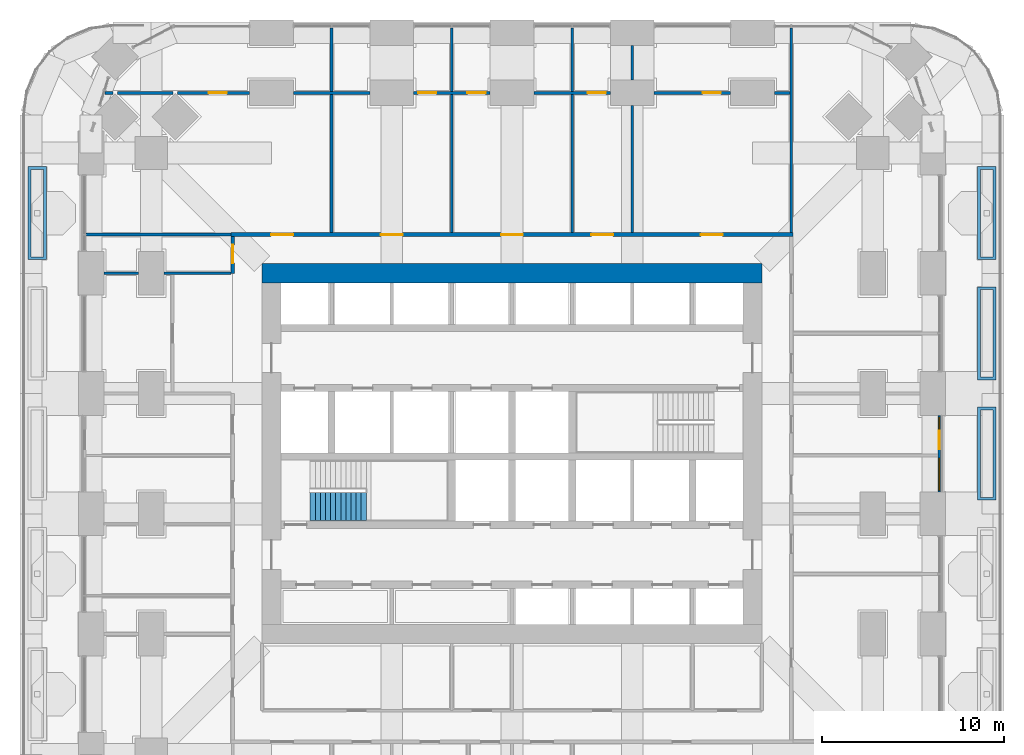
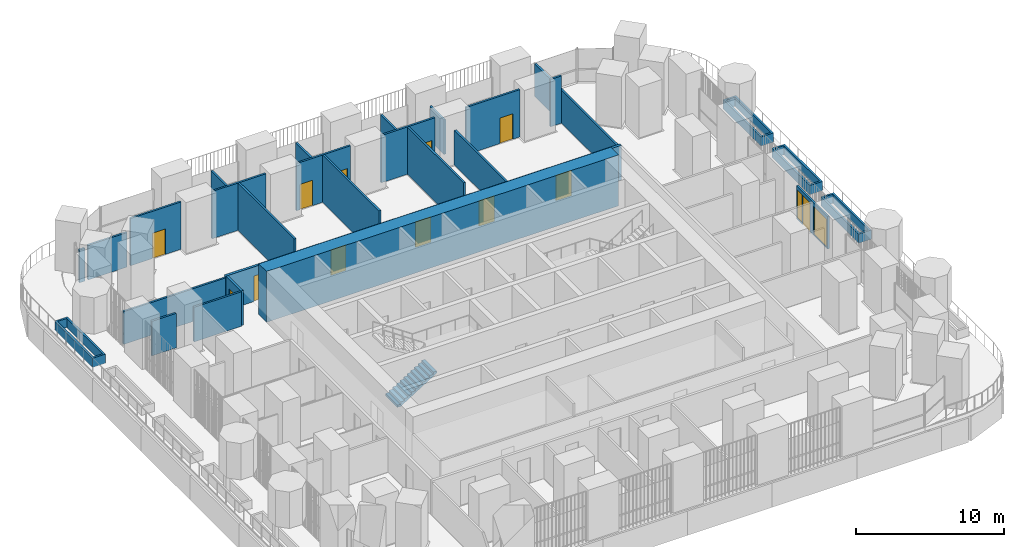
# One storey, part 20 of 27: 28 walls, 12 doors, 2 windows, 1 stair flight, 14 openings, 1 element without a shape of its own.
"""IFC4 building model written with IfcOpenShell, lengths in metres."""

import ifcopenshell
import ifcopenshell.guid

model = None  # the IFC model being written
_history = None  # IfcOwnerHistory: only IFC2X3 demands one
_inside = {}  # id of a spatial element -> (the spatial element, [elements in it])
_under = {}  # id of a project, library or spatial element -> (it, [spatial elements below it])
_declared = {}  # id of a project -> (the project, [libraries it declares])
_typed = {}  # id of a type object -> (the type object, [elements of that type])
_made_of = {}  # id of a material, layer set ... -> (it, [elements and type objects made of it])


def new_model(schema):
    """Start an empty IFC model of exactly this schema.

    Asked for "IFC4X3", IfcOpenShell would pick the latest addendum, in which some entities
    have other attributes; the version numbers below select the first issue.
    IFC2X3 requires an IfcOwnerHistory on every rooted entity: one is made here for all.
    """
    global model, _history
    if schema == "IFC4X3":
        model = ifcopenshell.file(schema_version=(4, 3, 0, 0))
    else:
        model = ifcopenshell.file(schema=schema)
    _inside.clear()
    _under.clear()
    _declared.clear()
    _typed.clear()
    _made_of.clear()
    _history = None
    if model.schema == "IFC2X3":
        org = make("IfcOrganization", Name="unknown")
        user = make(
            "IfcPersonAndOrganization",
            ThePerson=make("IfcPerson", FamilyName="unknown"),
            TheOrganization=org,
        )
        app = make(
            "IfcApplication",
            ApplicationDeveloper=org,
            Version="unknown",
            ApplicationFullName="unknown",
            ApplicationIdentifier="unknown",
        )
        _history = make(
            "IfcOwnerHistory",
            OwningUser=user,
            OwningApplication=app,
            ChangeAction="ADDED",
            CreationDate=0,
        )
    return model


def make(cls, **values):
    """One entity of the class cls with the attributes given. An attribute that is None is left unset."""
    return model.create_entity(
        cls, **{name: value for name, value in values.items() if value is not None}
    )


def rooted(cls, **values):
    """An entity with a GlobalId (a new one), such as an element, a storey or a relation."""
    return make(cls, GlobalId=ifcopenshell.guid.new(), OwnerHistory=_history, **values)


def si_unit(unit_type, name, prefix=None):
    """IfcSIUnit, for example si_unit("LENGTHUNIT", "METRE", prefix="MILLI")."""
    return make("IfcSIUnit", UnitType=unit_type, Prefix=prefix, Name=name)


def assignment(units):
    """IfcUnitAssignment: the units of a project."""
    return None if units is None else make("IfcUnitAssignment", Units=units)


def point(xyz):
    """IfcCartesianPoint."""
    return None if xyz is None else make("IfcCartesianPoint", Coordinates=xyz)


def direction(xyz):
    """IfcDirection."""
    return None if xyz is None else make("IfcDirection", DirectionRatios=xyz)


def frame(location, z_axis=None, x_axis=None):
    """IfcAxis2Placement3D, a coordinate frame: its origin and axes. An axis left out is left unset."""
    return make(
        "IfcAxis2Placement3D",
        Location=point(location),
        Axis=direction(z_axis),
        RefDirection=direction(x_axis),
    )


def frame_2d(location, x_axis=None):
    """IfcAxis2Placement2D, a coordinate frame in the plane: its origin and x axis."""
    return make(
        "IfcAxis2Placement2D", Location=point(location), RefDirection=direction(x_axis)
    )


def origin():
    """The frame at (0, 0, 0) with its axes left unset."""
    return frame((0.0, 0.0, 0.0))


def place(relative_to, where):
    """IfcLocalPlacement: puts the frame where relative to a parent placement (None: the world)."""
    return make(
        "IfcLocalPlacement", PlacementRelTo=relative_to, RelativePlacement=where
    )


def context(
    kind, dimensions, precision=None, world=None, true_north=None, identifier=None
):
    """IfcGeometricRepresentationContext, for example the 3D "Model" context."""
    return make(
        "IfcGeometricRepresentationContext",
        ContextIdentifier=identifier,
        ContextType=kind,
        CoordinateSpaceDimension=dimensions,
        Precision=precision,
        WorldCoordinateSystem=world,
        TrueNorth=true_north,
    )


def subcontext(parent, identifier, kind, view, scale=None):
    """IfcGeometricRepresentationSubContext, for example "Body" below "Model"."""
    return make(
        "IfcGeometricRepresentationSubContext",
        ContextIdentifier=identifier,
        ContextType=kind,
        ParentContext=parent,
        TargetScale=scale,
        TargetView=view,
    )


def project(units=None, contexts=None):
    """IfcProject with its units and contexts."""
    return rooted(
        "IfcProject",
        Name="project",
        RepresentationContexts=contexts,
        UnitsInContext=assignment(units),
    )


def spatial(cls, under=None, at=None, **own):
    """A site, building, storey or space (cls), placed at a placement, below another one or the project."""
    s = rooted(cls, ObjectPlacement=at, **own)
    if under is not None:
        _under.setdefault(under.id(), (under, []))[1].append(s)
    return s


def polyline(points):
    """IfcPolyline through the points."""
    return make("IfcPolyline", Points=[point(p) for p in points])


def profile(cls, at=None, kind="AREA", **sizes):
    """A parametric profile (cls). Its sizes go by their IFC names, for example OverallWidth=200.0."""
    return make(cls, ProfileType=kind, Position=at, **sizes)


def rectangle(**sizes):
    """IfcRectangleProfileDef."""
    return profile("IfcRectangleProfileDef", **sizes)


def outline(outer, holes=None, kind="AREA"):
    """IfcArbitraryClosedProfileDef: a profile drawn as a closed curve; with holes, ...WithVoids."""
    if holes is None:
        return make("IfcArbitraryClosedProfileDef", ProfileType=kind, OuterCurve=outer)
    return make(
        "IfcArbitraryProfileDefWithVoids",
        ProfileType=kind,
        OuterCurve=outer,
        InnerCurves=holes,
    )


def extrude(swept, where, along, depth):
    """IfcExtrudedAreaSolid: the profile swept, set in the frame where, extruded along a direction by depth."""
    return make(
        "IfcExtrudedAreaSolid",
        SweptArea=swept,
        Position=where,
        ExtrudedDirection=direction(along),
        Depth=depth,
    )


def shape(context_of_items, identifier, shape_type, items):
    """IfcShapeRepresentation: the items that make up one representation, for example the "Body"."""
    return make(
        "IfcShapeRepresentation",
        ContextOfItems=context_of_items,
        RepresentationIdentifier=identifier,
        RepresentationType=shape_type,
        Items=items,
    )


def material(Name=None, Category=None):
    """IfcMaterial."""
    return make("IfcMaterial", Name=Name, Category=Category)


def layer(
    of_material, thickness, ventilated=None, Name=None, Category=None, Priority=None
):
    """IfcMaterialLayer: one layer of a wall or slab, of a material (None: an air gap)."""
    return make(
        "IfcMaterialLayer",
        Material=of_material,
        LayerThickness=thickness,
        IsVentilated=ventilated,
        Name=Name,
        Category=Category,
        Priority=Priority,
    )


def layer_set(layers, Name=None):
    """IfcMaterialLayerSet."""
    return make("IfcMaterialLayerSet", MaterialLayers=layers, LayerSetName=Name)


def made_of(thing, what):
    """Note that an element or type object is made of a material, layer set ...; save() writes the relation."""
    if what is not None:
        _made_of.setdefault(what.id(), (what, []))[1].append(thing)
    return thing


def type_object(cls, material=None, **own):
    """A type object (cls), such as IfcWallType, which elements share."""
    return made_of(rooted(cls, **own), material)


def element(
    cls,
    number,
    at=None,
    inside=None,
    cuts=None,
    type_object=None,
    material=None,
    context=None,
    identifier="Body",
    shape_type=None,
    held_by="IfcProductDefinitionShape",
    body=None,
    shapes=None,
    **own,
):
    """One element of the class cls, such as IfcWall. Its Tag is "e" and its number.

    at: its placement. inside: the storey or other place that contains it. cuts: it is an
    opening in that element (IfcRelVoidsElement). A single representation is given by context,
    identifier, shape_type and body (its items); several are given by shapes. held_by: the class
    of the entity that holds the representations. save() writes the other relations.
    """
    e = rooted(cls, Tag="e%d" % number, ObjectPlacement=at, **own)
    if body is not None:
        shapes = [shape(context, identifier, shape_type, body)]
    if shapes is not None:
        e.Representation = make(held_by, Representations=shapes)
    if inside is not None:
        _inside.setdefault(inside.id(), (inside, []))[1].append(e)
    if cuts is not None:
        rooted(
            "IfcRelVoidsElement", RelatingBuildingElement=cuts, RelatedOpeningElement=e
        )
    if type_object is not None:
        _typed.setdefault(type_object.id(), (type_object, []))[1].append(e)
    return made_of(e, material)


def fill(opening, filler):
    """IfcRelFillsElement: the door or window that sits in an opening."""
    return rooted(
        "IfcRelFillsElement",
        RelatingOpeningElement=opening,
        RelatedBuildingElement=filler,
    )


def aggregate(whole, parts):
    """IfcRelAggregates: a whole, such as a stair, and the parts it consists of."""
    return rooted("IfcRelAggregates", RelatingObject=whole, RelatedObjects=parts)


def save(model, path):
    """Write the relations noted so far, then the file.

    IfcRelAggregates (storeys below a building ...), IfcRelContainedInSpatialStructure (elements
    in a storey), IfcRelDefinesByType, IfcRelAssociatesMaterial and IfcRelDeclares: one each for
    every whole, place, type object, material and project.
    """
    for whole, parts in _under.values():
        aggregate(whole, parts)
    for where, things in _inside.values():
        rooted(
            "IfcRelContainedInSpatialStructure",
            RelatedElements=things,
            RelatingStructure=where,
        )
    for kind, things in _typed.values():
        rooted("IfcRelDefinesByType", RelatedObjects=things, RelatingType=kind)
    for what, things in _made_of.values():
        rooted("IfcRelAssociatesMaterial", RelatedObjects=things, RelatingMaterial=what)
    for by, libraries in _declared.values():
        rooted("IfcRelDeclares", RelatingContext=by, RelatedDefinitions=libraries)
    model.write(path)


model = new_model("IFC4")

# Units and contexts
model_context = context("Model", 3, precision=1e-05, world=origin(), true_north=direction((0.0, 1.0)))
body_context = subcontext(model_context, "Body", "Model", "MODEL_VIEW")
ifc_project = project(units=[si_unit("LENGTHUNIT", "METRE"), si_unit("AREAUNIT", "SQUARE_METRE"), si_unit("VOLUMEUNIT", "CUBIC_METRE"), si_unit("PLANEANGLEUNIT", "RADIAN"), si_unit("MASSUNIT", "GRAM", prefix="KILO")], contexts=[model_context])

# Site, building, storey
site_placement = place(None, origin())
site = spatial("IfcSite", under=ifc_project, at=site_placement, CompositionType="ELEMENT")
building_placement = place(site_placement, origin())
building = spatial("IfcBuilding", under=site, at=building_placement, Name="Cobogo Forest Laboratory Tower", CompositionType="ELEMENT")
storey_placement = place(building_placement, frame((0.0, 0.0, 82.199951171875)))
storey = spatial("IfcBuildingStorey", under=building, at=storey_placement, Name="L18", CompositionType="ELEMENT", Elevation=82.199951171875)

# Wall
ifc_material_1 = material(Name="Concrete HA-50 (C50/60)", Category="concrete")
ifc_layer_1 = layer(ifc_material_1, 1.050048828125)
ifc_layer_set_1 = layer_set([ifc_layer_1], Name="CW1050 core outer wall 1050")
wall_type_1 = type_object("IfcWallType", Name="CW1050 core outer wall 1050", PredefinedType="SHEAR", material=ifc_layer_set_1)
wall_1_placement = place(storey_placement, frame((40.125, 33.0, 0.0), z_axis=(0.0, 0.0, 1.0), x_axis=(-1.0, 0.0, 0.0)))
element("IfcWall", 1, at=wall_1_placement, inside=storey, type_object=wall_type_1, Name="Core wall CO-N L18", PredefinedType="SHEAR", context=body_context, shape_type="SweptSolid", body=[
    extrude(rectangle(XDim=27.449951171875, YDim=1.050048828125, at=frame_2d((13.72509765625, 0.0))), origin(), (0.0, 0.0, 1.0), 4.199951171875),
])

# Wall, openings, door, windows
ifc_material_2 = material(Name="Aluminium framed glazed screen", Category="aluminium")
ifc_layer_2 = layer(ifc_material_2, 0.14990234375)
ifc_layer_set_2 = layer_set([ifc_layer_2], Name="GS1 glazed door screen 150")
wall_type_2 = type_object("IfcWallType", Name="GS1 glazed door screen 150", PredefinedType="SOLIDWALL", material=ifc_layer_set_2)
wall_2_placement = place(storey_placement, frame((49.85009765625, 21.0, 0.0), z_axis=(0.0, 0.0, 1.0), x_axis=(0.0, 1.0, 0.0)))
wall_2 = element("IfcWall", 2, at=wall_2_placement, inside=storey, type_object=wall_type_2, Name="Door screen TER-E L18", PredefinedType="SOLIDWALL", context=body_context, shape_type="SweptSolid", body=[
    extrude(rectangle(XDim=4.199951171875, YDim=0.14990234375, at=frame_2d((2.10009765625, 0.0))), origin(), (0.0, 0.0, 1.0), 2.699951171875),
])
opening_1_placement = place(wall_2_placement, frame((2.35009765625, 0.0, 0.0)))
opening_1 = element("IfcOpeningElement", 3, at=opening_1_placement, cuts=wall_2, Name="Opening L18-D28", PredefinedType="OPENING", context=body_context, shape_type="SweptSolid", body=[
    extrude(rectangle(XDim=1.0, YDim=2.39990234375, at=frame_2d((0.5, 1.199951171875))), frame((0.0, 0.0849609375, 0.0), z_axis=(0.0, -1.0, 0.0), x_axis=(1.0, 0.0, 0.0)), (0.0, 0.0, 1.0), 0.169921875),
])
opening_2_placement = place(wall_2_placement, frame((0.10009765625, 0.0, 0.10009765625)))
opening_2 = element("IfcOpeningElement", 4, at=opening_2_placement, cuts=wall_2, Name="Opening L18-W02", PredefinedType="OPENING", context=body_context, shape_type="SweptSolid", body=[
    extrude(rectangle(XDim=1.75, YDim=2.300048828125, at=frame_2d((0.875, 1.14990234375))), frame((0.0, 0.0849609375, 0.0), z_axis=(0.0, -1.0, 0.0), x_axis=(1.0, 0.0, 0.0)), (0.0, 0.0, 1.0), 0.169921875),
])
opening_3_placement = place(wall_2_placement, frame((3.449951171875, 0.0, 0.10009765625)))
opening_3 = element("IfcOpeningElement", 5, at=opening_3_placement, cuts=wall_2, Name="Opening L18-W04", PredefinedType="OPENING", context=body_context, shape_type="SweptSolid", body=[
    extrude(rectangle(XDim=0.64990234375, YDim=2.300048828125, at=frame_2d((0.324951171875, 1.14990234375))), frame((0.0, 0.0849609375, 0.0), z_axis=(0.0, -1.0, 0.0), x_axis=(1.0, 0.0, 0.0)), (0.0, 0.0, 1.0), 0.169921875),
])
ifc_material_3 = material(Name="Aluminium glazed door", Category="aluminium")
door_type_1 = type_object("IfcDoorType", Name="DT1 terrace door 1000 glazed", OperationType="SINGLE_SWING_RIGHT", PredefinedType="DOOR", material=ifc_material_3)
door_1_placement = place(opening_1_placement, origin())
door_1 = element("IfcDoor", 6, at=door_1_placement, inside=storey, type_object=door_type_1, Name="Door L18-TER-E", OperationType="SINGLE_SWING_RIGHT", OverallHeight=2.39990234375, OverallWidth=1.0, PredefinedType="DOOR", context=body_context, shape_type="SweptSolid", body=[
    extrude(rectangle(XDim=1.0, YDim=2.39990234375, at=frame_2d((0.5, 1.199951171875))), frame((0.0, 0.02490234375, 0.0), z_axis=(0.0, -1.0, 0.0), x_axis=(1.0, 0.0, 0.0)), (0.0, 0.0, 1.0), 0.050048828125),
])
fill(opening_1, door_1)
ifc_material_4 = material(Name="Aluminium framed glazing", Category="aluminium")
window_type_1 = type_object("IfcWindowType", Name="WG11 fixed glazed light 1750x2300", PartitioningType="SINGLE_PANEL", PredefinedType="WINDOW", material=ifc_material_4)
window_1_placement = place(opening_2_placement, origin())
window_1 = element("IfcWindow", 7, at=window_1_placement, inside=storey, type_object=window_type_1, Name="Window L18-TER-E-1", OverallHeight=2.300048828125, OverallWidth=1.75, PartitioningType="SINGLE_PANEL", PredefinedType="WINDOW", context=body_context, shape_type="SweptSolid", body=[
    extrude(rectangle(XDim=1.75, YDim=2.300048828125, at=frame_2d((0.875, 1.14990234375))), frame((0.0, 0.030029296875, 0.0), z_axis=(0.0, -1.0, 0.0), x_axis=(1.0, 0.0, 0.0)), (0.0, 0.0, 1.0), 0.06005859375),
])
fill(opening_2, window_1)
window_type_2 = type_object("IfcWindowType", Name="WG12 fixed glazed light 650x2300", PartitioningType="SINGLE_PANEL", PredefinedType="WINDOW", material=ifc_material_4)
window_2_placement = place(opening_3_placement, origin())
window_2 = element("IfcWindow", 8, at=window_2_placement, inside=storey, type_object=window_type_2, Name="Window L18-TER-E-2", OverallHeight=2.300048828125, OverallWidth=0.64990234375, PartitioningType="SINGLE_PANEL", PredefinedType="WINDOW", context=body_context, shape_type="SweptSolid", body=[
    extrude(rectangle(XDim=0.64990234375, YDim=2.300048828125, at=frame_2d((0.324951171875, 1.14990234375))), frame((0.0, 0.030029296875, 0.0), z_axis=(0.0, -1.0, 0.0), x_axis=(1.0, 0.0, 0.0)), (0.0, 0.0, 1.0), 0.06005859375),
])
fill(opening_3, window_2)

# Walls
ifc_material_5 = material(Name="Gypsum board on steel studs", Category="steel")
ifc_layer_3 = layer(ifc_material_5, 0.14990234375)
ifc_layer_set_3 = layer_set([ifc_layer_3], Name="PT1 laboratory partition 150")
wall_type_3 = type_object("IfcWallType", Name="PT1 laboratory partition 150", PredefinedType="PARTITIONING", material=ifc_layer_set_3)
wall_3_placement = place(storey_placement, frame((41.72509765625, 46.469970703125, 0.0), z_axis=(0.0, 0.0, 1.0), x_axis=(0.0, -1.0, 0.0)))
element("IfcWall", 9, at=wall_3_placement, inside=storey, type_object=wall_type_3, Name="Partition PW-NE L18", PredefinedType="PARTITIONING", context=body_context, shape_type="SweptSolid", body=[
    extrude(rectangle(XDim=11.244873046875, YDim=0.14990234375, at=frame_2d((5.62255859375, 0.0))), origin(), (0.0, 0.0, 1.0), 2.699951171875),
])
wall_4_placement = place(storey_placement, frame((3.030029296875, 35.125, 0.0), z_axis=(0.0, 0.0, 1.0), x_axis=(1.0, 0.0, 0.0)))
element("IfcWall", 10, at=wall_4_placement, inside=storey, type_object=wall_type_3, Name="Partition PW-NW L18", PredefinedType="PARTITIONING", context=body_context, shape_type="SweptSolid", body=[
    extrude(rectangle(XDim=7.945068359375, YDim=0.14990234375, at=frame_2d((3.97265625, 0.0))), origin(), (0.0, 0.0, 1.0), 2.699951171875),
])
wall_5_placement = place(storey_placement, frame((41.64990234375, 42.89990234375, 0.0), z_axis=(0.0, 0.0, 1.0), x_axis=(-1.0, 0.0, 0.0)))
element("IfcWall", 11, at=wall_5_placement, inside=storey, type_object=wall_type_3, Name="Partition STRIP-N-1 L18", PredefinedType="PARTITIONING", context=body_context, shape_type="SweptSolid", body=[
    extrude(rectangle(XDim=0.849853515625, YDim=0.14990234375, at=frame_2d((0.4248046875, 0.0))), origin(), (0.0, 0.0, 1.0), 3.900146484375),
])

# Wall, opening, door
wall_6_placement = place(storey_placement, frame((38.39990234375, 42.89990234375, 0.0), z_axis=(0.0, 0.0, 1.0), x_axis=(-1.0, 0.0, 0.0)))
wall_6 = element("IfcWall", 12, at=wall_6_placement, inside=storey, type_object=wall_type_3, Name="Partition STRIP-N-2 L18", PredefinedType="PARTITIONING", context=body_context, shape_type="SweptSolid", body=[
    extrude(rectangle(XDim=4.199951171875, YDim=0.14990234375, at=frame_2d((2.10009765625, 0.0))), origin(), (0.0, 0.0, 1.0), 3.900146484375),
])
opening_4_placement = place(wall_6_placement, frame((0.53759765625, 0.0, 0.0)))
opening_4 = element("IfcOpeningElement", 13, at=opening_4_placement, cuts=wall_6, Name="Opening L18-D47", PredefinedType="OPENING", context=body_context, shape_type="SweptSolid", body=[
    extrude(rectangle(XDim=1.0, YDim=2.10009765625, at=frame_2d((0.5, 1.050048828125))), frame((0.0, 0.0849609375, 0.0), z_axis=(0.0, -1.0, 0.0), x_axis=(1.0, 0.0, 0.0)), (0.0, 0.0, 1.0), 0.169921875),
])
ifc_material_6 = material(Name="Timber fire door", Category="wood")
door_type_2 = type_object("IfcDoorType", Name="FD2 fire door 1000 EI2 30", OperationType="SINGLE_SWING_LEFT", PredefinedType="DOOR", material=ifc_material_6)
door_2_placement = place(opening_4_placement, origin())
door_2 = element("IfcDoor", 14, at=door_2_placement, inside=storey, type_object=door_type_2, Name="Door L18-N5W", OperationType="SINGLE_SWING_LEFT", OverallHeight=2.10009765625, OverallWidth=1.0, PredefinedType="DOOR", context=body_context, shape_type="SweptSolid", body=[
    extrude(rectangle(XDim=1.0, YDim=2.10009765625, at=frame_2d((0.5, 1.050048828125))), frame((0.0, 0.02490234375, 0.0), z_axis=(0.0, -1.0, 0.0), x_axis=(1.0, 0.0, 0.0)), (0.0, 0.0, 1.0), 0.050048828125),
])
fill(opening_4, door_2)

wall_7_placement = place(storey_placement, frame((31.800048828125, 42.89990234375, 0.0), z_axis=(0.0, 0.0, 1.0), x_axis=(-1.0, 0.0, 0.0)))
wall_7 = element("IfcWall", 15, at=wall_7_placement, inside=storey, type_object=wall_type_3, Name="Partition STRIP-N-3 L18", PredefinedType="PARTITIONING", context=body_context, shape_type="SweptSolid", body=[
    extrude(rectangle(XDim=4.199951171875, YDim=0.14990234375, at=frame_2d((2.10009765625, 0.0))), origin(), (0.0, 0.0, 1.0), 3.900146484375),
])
opening_5_placement = place(wall_7_placement, frame((0.25, 0.0, 0.0)))
opening_5 = element("IfcOpeningElement", 16, at=opening_5_placement, cuts=wall_7, Name="Opening L18-D46", PredefinedType="OPENING", context=body_context, shape_type="SweptSolid", body=[
    extrude(rectangle(XDim=1.0, YDim=2.10009765625, at=frame_2d((0.5, 1.050048828125))), frame((0.0, 0.0849609375, 0.0), z_axis=(0.0, -1.0, 0.0), x_axis=(1.0, 0.0, 0.0)), (0.0, 0.0, 1.0), 0.169921875),
])
door_3_placement = place(opening_5_placement, origin())
door_3 = element("IfcDoor", 17, at=door_3_placement, inside=storey, type_object=door_type_2, Name="Door L18-N4W", OperationType="SINGLE_SWING_LEFT", OverallHeight=2.10009765625, OverallWidth=1.0, PredefinedType="DOOR", context=body_context, shape_type="SweptSolid", body=[
    extrude(rectangle(XDim=1.0, YDim=2.10009765625, at=frame_2d((0.5, 1.050048828125))), frame((0.0, 0.02490234375, 0.0), z_axis=(0.0, -1.0, 0.0), x_axis=(1.0, 0.0, 0.0)), (0.0, 0.0, 1.0), 0.050048828125),
])
fill(opening_5, door_3)

# Wall, openings, doors
wall_8_placement = place(storey_placement, frame((25.199951171875, 42.89990234375, 0.0), z_axis=(0.0, 0.0, 1.0), x_axis=(-1.0, 0.0, 0.0)))
wall_8 = element("IfcWall", 18, at=wall_8_placement, inside=storey, type_object=wall_type_3, Name="Partition STRIP-N-4 L18", PredefinedType="PARTITIONING", context=body_context, shape_type="SweptSolid", body=[
    extrude(rectangle(XDim=4.199951171875, YDim=0.14990234375, at=frame_2d((2.10009765625, 0.0))), origin(), (0.0, 0.0, 1.0), 3.900146484375),
])
opening_6_placement = place(wall_8_placement, frame((2.949951171875, 0.0, 0.0)))
opening_6 = element("IfcOpeningElement", 19, at=opening_6_placement, cuts=wall_8, Name="Opening L18-D44", PredefinedType="OPENING", context=body_context, shape_type="SweptSolid", body=[
    extrude(rectangle(XDim=1.0, YDim=2.10009765625, at=frame_2d((0.5, 1.050048828125))), frame((0.0, 0.0849609375, 0.0), z_axis=(0.0, -1.0, 0.0), x_axis=(1.0, 0.0, 0.0)), (0.0, 0.0, 1.0), 0.169921875),
])
opening_7_placement = place(wall_8_placement, frame((0.25, 0.0, 0.0)))
opening_7 = element("IfcOpeningElement", 20, at=opening_7_placement, cuts=wall_8, Name="Opening L18-D45", PredefinedType="OPENING", context=body_context, shape_type="SweptSolid", body=[
    extrude(rectangle(XDim=1.0, YDim=2.10009765625, at=frame_2d((0.5, 1.050048828125))), frame((0.0, 0.0849609375, 0.0), z_axis=(0.0, -1.0, 0.0), x_axis=(1.0, 0.0, 0.0)), (0.0, 0.0, 1.0), 0.169921875),
])
door_4_placement = place(opening_6_placement, origin())
door_4 = element("IfcDoor", 21, at=door_4_placement, inside=storey, type_object=door_type_2, Name="Door L18-N2W", OperationType="SINGLE_SWING_RIGHT", OverallHeight=2.10009765625, OverallWidth=1.0, PredefinedType="DOOR", context=body_context, shape_type="SweptSolid", body=[
    extrude(rectangle(XDim=1.0, YDim=2.10009765625, at=frame_2d((0.5, 1.050048828125))), frame((0.0, 0.02490234375, 0.0), z_axis=(0.0, -1.0, 0.0), x_axis=(1.0, 0.0, 0.0)), (0.0, 0.0, 1.0), 0.050048828125),
])
fill(opening_6, door_4)
door_5_placement = place(opening_7_placement, origin())
door_5 = element("IfcDoor", 22, at=door_5_placement, inside=storey, type_object=door_type_2, Name="Door L18-N3W", OperationType="SINGLE_SWING_LEFT", OverallHeight=2.10009765625, OverallWidth=1.0, PredefinedType="DOOR", context=body_context, shape_type="SweptSolid", body=[
    extrude(rectangle(XDim=1.0, YDim=2.10009765625, at=frame_2d((0.5, 1.050048828125))), frame((0.0, 0.02490234375, 0.0), z_axis=(0.0, -1.0, 0.0), x_axis=(1.0, 0.0, 0.0)), (0.0, 0.0, 1.0), 0.050048828125),
])
fill(opening_7, door_5)

# Wall
wall_9_placement = place(storey_placement, frame((18.60009765625, 42.89990234375, 0.0), z_axis=(0.0, 0.0, 1.0), x_axis=(-1.0, 0.0, 0.0)))
element("IfcWall", 23, at=wall_9_placement, inside=storey, type_object=wall_type_3, Name="Partition STRIP-N-5 L18", PredefinedType="PARTITIONING", context=body_context, shape_type="SweptSolid", body=[
    extrude(rectangle(XDim=4.2001953125, YDim=0.14990234375, at=frame_2d((2.10009765625, 0.0))), origin(), (0.0, 0.0, 1.0), 3.900146484375),
])

# Wall, opening, door
wall_10_placement = place(storey_placement, frame((12.0, 42.89990234375, 0.0), z_axis=(0.0, 0.0, 1.0), x_axis=(-1.0, 0.0, 0.0)))
wall_10 = element("IfcWall", 24, at=wall_10_placement, inside=storey, type_object=wall_type_3, Name="Partition STRIP-N-6 L18", PredefinedType="PARTITIONING", context=body_context, shape_type="SweptSolid", body=[
    extrude(rectangle(XDim=3.953857421875, YDim=0.14990234375, at=frame_2d((1.97705078125, 0.0))), origin(), (0.0, 0.0, 1.0), 3.900146484375),
])
opening_8_placement = place(wall_10_placement, frame((1.2421875, 0.0, 0.0)))
opening_8 = element("IfcOpeningElement", 25, at=opening_8_placement, cuts=wall_10, Name="Opening L18-D43", PredefinedType="OPENING", context=body_context, shape_type="SweptSolid", body=[
    extrude(rectangle(XDim=1.0, YDim=2.10009765625, at=frame_2d((0.5, 1.050048828125))), frame((0.0, 0.0849609375, 0.0), z_axis=(0.0, -1.0, 0.0), x_axis=(1.0, 0.0, 0.0)), (0.0, 0.0, 1.0), 0.169921875),
])
door_6_placement = place(opening_8_placement, origin())
door_6 = element("IfcDoor", 26, at=door_6_placement, inside=storey, type_object=door_type_2, Name="Door L18-N1W", OperationType="SINGLE_SWING_LEFT", OverallHeight=2.10009765625, OverallWidth=1.0, PredefinedType="DOOR", context=body_context, shape_type="SweptSolid", body=[
    extrude(rectangle(XDim=1.0, YDim=2.10009765625, at=frame_2d((0.5, 1.050048828125))), frame((0.0, 0.02490234375, 0.0), z_axis=(0.0, -1.0, 0.0), x_axis=(1.0, 0.0, 0.0)), (0.0, 0.0, 1.0), 0.050048828125),
])
fill(opening_8, door_6)

# Walls
wall_11_placement = place(storey_placement, frame((7.7900390625, 42.89990234375, 0.0), z_axis=(0.0, 0.0, 1.0), x_axis=(-1.0, 0.0, 0.0)))
element("IfcWall", 27, at=wall_11_placement, inside=storey, type_object=wall_type_3, Name="Partition STRIP-N-7 L18", PredefinedType="PARTITIONING", context=body_context, shape_type="SweptSolid", body=[
    extrude(rectangle(XDim=3.0439453125, YDim=0.14990234375, at=frame_2d((1.52197265625, 0.0))), origin(), (0.0, 0.0, 1.0), 2.85009765625),
])
wall_12_placement = place(storey_placement, frame((4.489990234375, 42.89990234375, 0.0), z_axis=(0.0, 0.0, 1.0), x_axis=(-1.0, 0.0, 0.0)))
element("IfcWall", 28, at=wall_12_placement, inside=storey, type_object=wall_type_3, Name="Partition STRIP-N-8 L18", PredefinedType="PARTITIONING", context=body_context, shape_type="SweptSolid", body=[
    extrude(rectangle(XDim=0.4140625, YDim=0.14990234375, at=frame_2d((0.20703125, 0.0))), origin(), (0.0, 0.0, 1.0), 2.699951171875),
])
wall_13_placement = place(storey_placement, frame((16.5, 46.469970703125, 0.0), z_axis=(0.0, 0.0, 1.0), x_axis=(0.0, -1.0, 0.0)))
element("IfcWall", 29, at=wall_13_placement, inside=storey, type_object=wall_type_3, Name="Partition CUT-N16.5a-1 L18", PredefinedType="PARTITIONING", context=body_context, shape_type="SweptSolid", body=[
    extrude(rectangle(XDim=3.494873046875, YDim=0.14990234375, at=frame_2d((1.74755859375, 0.0))), origin(), (0.0, 0.0, 1.0), 2.699951171875),
])
wall_14_placement = place(storey_placement, frame((16.5, 42.824951171875, 0.0), z_axis=(0.0, 0.0, 1.0), x_axis=(0.0, -1.0, 0.0)))
element("IfcWall", 30, at=wall_14_placement, inside=storey, type_object=wall_type_3, Name="Partition CUT-N16.5b-1 L18", PredefinedType="PARTITIONING", context=body_context, shape_type="SweptSolid", body=[
    extrude(rectangle(XDim=7.599853515625, YDim=0.14990234375, at=frame_2d((3.7998046875, 0.0))), origin(), (0.0, 0.0, 1.0), 3.900146484375),
])
wall_15_placement = place(storey_placement, frame((23.10009765625, 46.469970703125, 0.0), z_axis=(0.0, 0.0, 1.0), x_axis=(0.0, -1.0, 0.0)))
element("IfcWall", 31, at=wall_15_placement, inside=storey, type_object=wall_type_3, Name="Partition CUT-N23.1a-1 L18", PredefinedType="PARTITIONING", context=body_context, shape_type="SweptSolid", body=[
    extrude(rectangle(XDim=3.494873046875, YDim=0.14990234375, at=frame_2d((1.74755859375, 0.0))), origin(), (0.0, 0.0, 1.0), 2.699951171875),
])
wall_16_placement = place(storey_placement, frame((23.10009765625, 42.824951171875, 0.0), z_axis=(0.0, 0.0, 1.0), x_axis=(0.0, -1.0, 0.0)))
element("IfcWall", 32, at=wall_16_placement, inside=storey, type_object=wall_type_3, Name="Partition CUT-N23.1b-1 L18", PredefinedType="PARTITIONING", context=body_context, shape_type="SweptSolid", body=[
    extrude(rectangle(XDim=7.599853515625, YDim=0.14990234375, at=frame_2d((3.7998046875, 0.0))), origin(), (0.0, 0.0, 1.0), 3.900146484375),
])
wall_17_placement = place(storey_placement, frame((29.699951171875, 46.469970703125, 0.0), z_axis=(0.0, 0.0, 1.0), x_axis=(0.0, -1.0, 0.0)))
element("IfcWall", 33, at=wall_17_placement, inside=storey, type_object=wall_type_3, Name="Partition CUT-N29.7a-1 L18", PredefinedType="PARTITIONING", context=body_context, shape_type="SweptSolid", body=[
    extrude(rectangle(XDim=3.494873046875, YDim=0.14990234375, at=frame_2d((1.74755859375, 0.0))), origin(), (0.0, 0.0, 1.0), 2.699951171875),
])
wall_18_placement = place(storey_placement, frame((29.699951171875, 42.824951171875, 0.0), z_axis=(0.0, 0.0, 1.0), x_axis=(0.0, -1.0, 0.0)))
element("IfcWall", 34, at=wall_18_placement, inside=storey, type_object=wall_type_3, Name="Partition CUT-N29.7b-1 L18", PredefinedType="PARTITIONING", context=body_context, shape_type="SweptSolid", body=[
    extrude(rectangle(XDim=7.599853515625, YDim=0.14990234375, at=frame_2d((3.7998046875, 0.0))), origin(), (0.0, 0.0, 1.0), 3.900146484375),
])
wall_19_placement = place(storey_placement, frame((33.0, 45.5, 0.0), z_axis=(0.0, 0.0, 1.0), x_axis=(0.0, -1.0, 0.0)))
element("IfcWall", 35, at=wall_19_placement, inside=storey, type_object=wall_type_3, Name="Partition CUT-N33a-1 L18", PredefinedType="PARTITIONING", context=body_context, shape_type="SweptSolid", body=[
    extrude(rectangle(XDim=1.89990234375, YDim=0.14990234375, at=frame_2d((0.949951171875, 0.0))), origin(), (0.0, 0.0, 1.0), 2.85009765625),
])
wall_20_placement = place(storey_placement, frame((33.0, 42.199951171875, 0.0), z_axis=(0.0, 0.0, 1.0), x_axis=(0.0, -1.0, 0.0)))
element("IfcWall", 36, at=wall_20_placement, inside=storey, type_object=wall_type_3, Name="Partition CUT-N33b-1 L18", PredefinedType="PARTITIONING", context=body_context, shape_type="SweptSolid", body=[
    extrude(rectangle(XDim=6.974853515625, YDim=0.14990234375, at=frame_2d((3.4873046875, 0.0))), origin(), (0.0, 0.0, 1.0), 2.85009765625),
])
wall_21_placement = place(storey_placement, frame((4.0, 33.0, 0.0), z_axis=(0.0, 0.0, 1.0), x_axis=(1.0, 0.0, 0.0)))
element("IfcWall", 37, at=wall_21_placement, inside=storey, type_object=wall_type_3, Name="Partition CUT-W33-1 L18", PredefinedType="PARTITIONING", context=body_context, shape_type="SweptSolid", body=[
    extrude(rectangle(XDim=1.89990234375, YDim=0.14990234375, at=frame_2d((0.949951171875, 0.0))), origin(), (0.0, 0.0, 1.0), 2.85009765625),
])
wall_22_placement = place(storey_placement, frame((7.300048828125, 33.0, 0.0), z_axis=(0.0, 0.0, 1.0), x_axis=(1.0, 0.0, 0.0)))
element("IfcWall", 38, at=wall_22_placement, inside=storey, type_object=wall_type_3, Name="Partition CUT-W33-2 L18", PredefinedType="PARTITIONING", context=body_context, shape_type="SweptSolid", body=[
    extrude(rectangle(XDim=3.675048828125, YDim=0.14990234375, at=frame_2d((1.83740234375, 0.0))), origin(), (0.0, 0.0, 1.0), 2.85009765625),
])

# Wall, openings, doors
ifc_layer_4 = layer(ifc_material_5, 0.199951171875)
ifc_layer_set_4 = layer_set([ifc_layer_4], Name="PT2 fire-rated corridor partition 200")
wall_type_4 = type_object("IfcWallType", Name="PT2 fire-rated corridor partition 200", PredefinedType="PARTITIONING", material=ifc_layer_set_4)
wall_23_placement = place(storey_placement, frame((10.97509765625, 35.125, 0.0), z_axis=(0.0, 0.0, 1.0), x_axis=(1.0, 0.0, 0.0)))
wall_23 = element("IfcWall", 39, at=wall_23_placement, inside=storey, type_object=wall_type_4, Name="Partition CORR-N L18", PredefinedType="PARTITIONING", context=body_context, shape_type="SweptSolid", body=[
    extrude(rectangle(XDim=30.849853515625, YDim=0.199951171875, at=frame_2d((15.4248046875, 0.0))), origin(), (0.0, 0.0, 1.0), 2.85009765625),
])
opening_9_placement = place(wall_23_placement, frame((2.21240234375, 0.0, 0.0)))
opening_9 = element("IfcOpeningElement", 40, at=opening_9_placement, cuts=wall_23, Name="Opening L18-D38", PredefinedType="OPENING", context=body_context, shape_type="SweptSolid", body=[
    extrude(rectangle(XDim=1.199951171875, YDim=2.10009765625, at=frame_2d((0.60009765625, 1.050048828125))), frame((0.0, 0.10986328125, 0.0), z_axis=(0.0, -1.0, 0.0), x_axis=(1.0, 0.0, 0.0)), (0.0, 0.0, 1.0), 0.219970703125),
])
opening_10_placement = place(wall_23_placement, frame((8.22509765625, 0.0, 0.0)))
opening_10 = element("IfcOpeningElement", 41, at=opening_10_placement, cuts=wall_23, Name="Opening L18-D39", PredefinedType="OPENING", context=body_context, shape_type="SweptSolid", body=[
    extrude(rectangle(XDim=1.199951171875, YDim=2.10009765625, at=frame_2d((0.60009765625, 1.050048828125))), frame((0.0, 0.10986328125, 0.0), z_axis=(0.0, -1.0, 0.0), x_axis=(1.0, 0.0, 0.0)), (0.0, 0.0, 1.0), 0.219970703125),
])
opening_11_placement = place(wall_23_placement, frame((14.824951171875, 0.0, 0.0)))
opening_11 = element("IfcOpeningElement", 42, at=opening_11_placement, cuts=wall_23, Name="Opening L18-D40", PredefinedType="OPENING", context=body_context, shape_type="SweptSolid", body=[
    extrude(rectangle(XDim=1.199951171875, YDim=2.10009765625, at=frame_2d((0.60009765625, 1.050048828125))), frame((0.0, 0.10986328125, 0.0), z_axis=(0.0, -1.0, 0.0), x_axis=(1.0, 0.0, 0.0)), (0.0, 0.0, 1.0), 0.219970703125),
])
opening_12_placement = place(wall_23_placement, frame((19.77490234375, 0.0, 0.0)))
opening_12 = element("IfcOpeningElement", 43, at=opening_12_placement, cuts=wall_23, Name="Opening L18-D41", PredefinedType="OPENING", context=body_context, shape_type="SweptSolid", body=[
    extrude(rectangle(XDim=1.199951171875, YDim=2.10009765625, at=frame_2d((0.60009765625, 1.050048828125))), frame((0.0, 0.10986328125, 0.0), z_axis=(0.0, -1.0, 0.0), x_axis=(1.0, 0.0, 0.0)), (0.0, 0.0, 1.0), 0.219970703125),
])
opening_13_placement = place(wall_23_placement, frame((25.78759765625, 0.0, 0.0)))
opening_13 = element("IfcOpeningElement", 44, at=opening_13_placement, cuts=wall_23, Name="Opening L18-D42", PredefinedType="OPENING", context=body_context, shape_type="SweptSolid", body=[
    extrude(rectangle(XDim=1.199951171875, YDim=2.10009765625, at=frame_2d((0.60009765625, 1.050048828125))), frame((0.0, 0.10986328125, 0.0), z_axis=(0.0, -1.0, 0.0), x_axis=(1.0, 0.0, 0.0)), (0.0, 0.0, 1.0), 0.219970703125),
])
ifc_material_7 = material(Name="Timber door", Category="wood")
door_type_3 = type_object("IfcDoorType", Name="D2 laboratory door 1200 unequal pair", OperationType="DOUBLE_DOOR_SINGLE_SWING", PredefinedType="DOOR", material=ifc_material_7)
door_7_placement = place(opening_9_placement, origin())
door_7 = element("IfcDoor", 45, at=door_7_placement, inside=storey, type_object=door_type_3, Name="Door L18-N1", OperationType="DOUBLE_DOOR_SINGLE_SWING", OverallHeight=2.10009765625, OverallWidth=1.199951171875, PredefinedType="DOOR", context=body_context, shape_type="SweptSolid", body=[
    extrude(rectangle(XDim=1.199951171875, YDim=2.10009765625, at=frame_2d((0.60009765625, 1.050048828125))), frame((0.0, 0.02490234375, 0.0), z_axis=(0.0, -1.0, 0.0), x_axis=(1.0, 0.0, 0.0)), (0.0, 0.0, 1.0), 0.050048828125),
])
fill(opening_9, door_7)
door_8_placement = place(opening_10_placement, origin())
door_8 = element("IfcDoor", 46, at=door_8_placement, inside=storey, type_object=door_type_3, Name="Door L18-N2", OperationType="DOUBLE_DOOR_SINGLE_SWING", OverallHeight=2.10009765625, OverallWidth=1.199951171875, PredefinedType="DOOR", context=body_context, shape_type="SweptSolid", body=[
    extrude(rectangle(XDim=1.199951171875, YDim=2.10009765625, at=frame_2d((0.60009765625, 1.050048828125))), frame((0.0, 0.02490234375, 0.0), z_axis=(0.0, -1.0, 0.0), x_axis=(1.0, 0.0, 0.0)), (0.0, 0.0, 1.0), 0.050048828125),
])
fill(opening_10, door_8)
door_9_placement = place(opening_11_placement, origin())
door_9 = element("IfcDoor", 47, at=door_9_placement, inside=storey, type_object=door_type_3, Name="Door L18-N3", OperationType="DOUBLE_DOOR_SINGLE_SWING", OverallHeight=2.10009765625, OverallWidth=1.199951171875, PredefinedType="DOOR", context=body_context, shape_type="SweptSolid", body=[
    extrude(rectangle(XDim=1.199951171875, YDim=2.10009765625, at=frame_2d((0.60009765625, 1.050048828125))), frame((0.0, 0.02490234375, 0.0), z_axis=(0.0, -1.0, 0.0), x_axis=(1.0, 0.0, 0.0)), (0.0, 0.0, 1.0), 0.050048828125),
])
fill(opening_11, door_9)
door_10_placement = place(opening_12_placement, origin())
door_10 = element("IfcDoor", 48, at=door_10_placement, inside=storey, type_object=door_type_3, Name="Door L18-N4", OperationType="DOUBLE_DOOR_SINGLE_SWING", OverallHeight=2.10009765625, OverallWidth=1.199951171875, PredefinedType="DOOR", context=body_context, shape_type="SweptSolid", body=[
    extrude(rectangle(XDim=1.199951171875, YDim=2.10009765625, at=frame_2d((0.60009765625, 1.050048828125))), frame((0.0, 0.02490234375, 0.0), z_axis=(0.0, -1.0, 0.0), x_axis=(1.0, 0.0, 0.0)), (0.0, 0.0, 1.0), 0.050048828125),
])
fill(opening_12, door_10)
door_11_placement = place(opening_13_placement, origin())
door_11 = element("IfcDoor", 49, at=door_11_placement, inside=storey, type_object=door_type_3, Name="Door L18-N5", OperationType="DOUBLE_DOOR_SINGLE_SWING", OverallHeight=2.10009765625, OverallWidth=1.199951171875, PredefinedType="DOOR", context=body_context, shape_type="SweptSolid", body=[
    extrude(rectangle(XDim=1.199951171875, YDim=2.10009765625, at=frame_2d((0.60009765625, 1.050048828125))), frame((0.0, 0.02490234375, 0.0), z_axis=(0.0, -1.0, 0.0), x_axis=(1.0, 0.0, 0.0)), (0.0, 0.0, 1.0), 0.050048828125),
])
fill(opening_13, door_11)

# Wall, opening, door
wall_24_placement = place(storey_placement, frame((11.074951171875, 33.0, 0.0), z_axis=(0.0, 0.0, 1.0), x_axis=(0.0, 1.0, 0.0)))
wall_24 = element("IfcWall", 50, at=wall_24_placement, inside=storey, type_object=wall_type_4, Name="Partition CORR-W-2 L18", PredefinedType="PARTITIONING", context=body_context, shape_type="SweptSolid", body=[
    extrude(rectangle(XDim=2.02490234375, YDim=0.199951171875, at=frame_2d((1.012451171875, 0.0))), origin(), (0.0, 0.0, 1.0), 2.85009765625),
])
opening_14_placement = place(wall_24_placement, frame((0.5625, 0.0, 0.0)))
opening_14 = element("IfcOpeningElement", 51, at=opening_14_placement, cuts=wall_24, Name="Opening L18-D37", PredefinedType="OPENING", context=body_context, shape_type="SweptSolid", body=[
    extrude(rectangle(XDim=1.0, YDim=2.10009765625, at=frame_2d((0.5, 1.050048828125))), frame((0.0, 0.10986328125, 0.0), z_axis=(0.0, -1.0, 0.0), x_axis=(1.0, 0.0, 0.0)), (0.0, 0.0, 1.0), 0.219970703125),
])
door_12_placement = place(opening_14_placement, origin())
door_12 = element("IfcDoor", 52, at=door_12_placement, inside=storey, type_object=door_type_2, Name="Door L18-W4", OperationType="SINGLE_SWING_RIGHT", OverallHeight=2.10009765625, OverallWidth=1.0, PredefinedType="DOOR", context=body_context, shape_type="SweptSolid", body=[
    extrude(rectangle(XDim=1.0, YDim=2.10009765625, at=frame_2d((0.5, 1.050048828125))), frame((0.0, 0.02490234375, 0.0), z_axis=(0.0, -1.0, 0.0), x_axis=(1.0, 0.0, 0.0)), (0.0, 0.0, 1.0), 0.050048828125),
])
fill(opening_14, door_12)

# Walls
ifc_material_8 = material(Name="Concrete HA-40 (C40/50)", Category="concrete")
ifc_layer_5 = layer(ifc_material_8, 0.14990234375)
ifc_layer_set_5 = layer_set([ifc_layer_5], Name="Planter box 1000x750")
wall_type_5 = type_object("IfcWallType", Name="Planter box 1000x750", PredefinedType="USERDEFINED", material=ifc_layer_set_5)
wall_25_placement = place(storey_placement, origin())
element("IfcWall", 53, at=wall_25_placement, inside=storey, type_object=wall_type_5, Name="Terrace planter TER-W-5 L18", ObjectType="PLANTER", PredefinedType="USERDEFINED", context=body_context, shape_type="SweptSolid", body=[
    extrude(outline(polyline([(-0.14990234375, 33.75), (0.85009765625, 33.75), (0.85009765625, 38.85009765625), (-0.14990234375, 38.85009765625), (-0.14990234375, 33.75)]), holes=[polyline([(0.0, 33.89990234375), (0.699951171875, 33.89990234375), (0.699951171875, 38.699951171875), (0.0, 38.699951171875), (0.0, 33.89990234375)])]), origin(), (0.0, 0.0, 1.0), 0.75),
])
wall_26_placement = place(storey_placement, origin())
element("IfcWall", 54, at=wall_26_placement, inside=storey, type_object=wall_type_5, Name="Terrace planter TER-E-3 L18", ObjectType="PLANTER", PredefinedType="USERDEFINED", context=body_context, shape_type="SweptSolid", body=[
    extrude(outline(polyline([(51.949951171875, 20.550048828125), (52.949951171875, 20.550048828125), (52.949951171875, 25.64990234375), (51.949951171875, 25.64990234375), (51.949951171875, 20.550048828125)]), holes=[polyline([(52.10009765625, 20.699951171875), (52.800048828125, 20.699951171875), (52.800048828125, 25.5), (52.10009765625, 25.5), (52.10009765625, 20.699951171875)])]), origin(), (0.0, 0.0, 1.0), 0.75),
])
wall_27_placement = place(storey_placement, origin())
element("IfcWall", 55, at=wall_27_placement, inside=storey, type_object=wall_type_5, Name="Terrace planter TER-E-4 L18", ObjectType="PLANTER", PredefinedType="USERDEFINED", context=body_context, shape_type="SweptSolid", body=[
    extrude(outline(polyline([(51.949951171875, 27.14990234375), (52.949951171875, 27.14990234375), (52.949951171875, 32.25), (51.949951171875, 32.25), (51.949951171875, 27.14990234375)]), holes=[polyline([(52.10009765625, 27.300048828125), (52.800048828125, 27.300048828125), (52.800048828125, 32.10009765625), (52.10009765625, 32.10009765625), (52.10009765625, 27.300048828125)])]), origin(), (0.0, 0.0, 1.0), 0.75),
])
wall_28_placement = place(storey_placement, origin())
element("IfcWall", 56, at=wall_28_placement, inside=storey, type_object=wall_type_5, Name="Terrace planter TER-E-5 L18", ObjectType="PLANTER", PredefinedType="USERDEFINED", context=body_context, shape_type="SweptSolid", body=[
    extrude(outline(polyline([(51.949951171875, 33.75), (52.949951171875, 33.75), (52.949951171875, 38.85009765625), (51.949951171875, 38.85009765625), (51.949951171875, 33.75)]), holes=[polyline([(52.10009765625, 33.89990234375), (52.800048828125, 33.89990234375), (52.800048828125, 38.699951171875), (52.10009765625, 38.699951171875), (52.10009765625, 33.89990234375)])]), origin(), (0.0, 0.0, 1.0), 0.75),
])

# Stair, stair flight
ifc_material_9 = material(Name="Precast concrete HA-40 (C40/50)", Category="concrete")
stair_type = type_object("IfcStairType", Name="ST24 exit stair 24 risers", PredefinedType="HALF_TURN_STAIR", material=ifc_material_9)
stair_placement = place(storey_placement, origin())
stair = element("IfcStair", 57, at=stair_placement, inside=storey, type_object=stair_type, Name="Stair 1 L18 to L19", PredefinedType="HALF_TURN_STAIR")
stair_flight_type = type_object("IfcStairFlightType", Name="ST stair flight 280 going", PredefinedType="STRAIGHT", material=ifc_material_9)
stair_flight_placement = place(storey_placement, frame((15.324951171875, 20.199951171875, 0.0), z_axis=(0.0, 0.0, 1.0), x_axis=(1.0, 0.0, 0.0)))
stair_flight = element("IfcStairFlight", 58, at=stair_flight_placement, type_object=stair_flight_type, Name="ST1 flight 1", NumberOfRisers=12, NumberOfTreads=11, PredefinedType="STRAIGHT", RiserHeight=0.175, TreadLength=0.28, context=body_context, shape_type="SweptSolid", body=[
    extrude(outline(polyline([(0.0, 0.0), (0.0, 0.175048828125), (0.280029296875, 0.175048828125), (0.280029296875, 0.35009765625), (0.56005859375, 0.35009765625), (0.56005859375, 0.52490234375), (0.840087890625, 0.52490234375), (0.840087890625, 0.699951171875), (1.1201171875, 0.699951171875), (1.1201171875, 0.875), (1.39990234375, 0.875), (1.39990234375, 1.050048828125), (1.679931640625, 1.050048828125), (1.679931640625, 1.22509765625), (1.9599609375, 1.22509765625), (1.9599609375, 1.39990234375), (2.239990234375, 1.39990234375), (2.239990234375, 1.574951171875), (2.52001953125, 1.574951171875), (2.52001953125, 1.75), (2.800048828125, 1.75), (2.800048828125, 1.925048828125), (3.080078125, 1.925048828125), (3.080078125, 2.10009765625), (3.080078125, 1.748291015625), (0.28271484375, 0.0), (0.0, 0.0)])), frame((0.0, 0.800048828125, 0.0), z_axis=(0.0, -1.0, 0.0), x_axis=(1.0, 0.0, 0.0)), (0.0, 0.0, 1.0), 1.60009765625),
])
aggregate(stair, [stair_flight])

save(model, "model.ifc")
